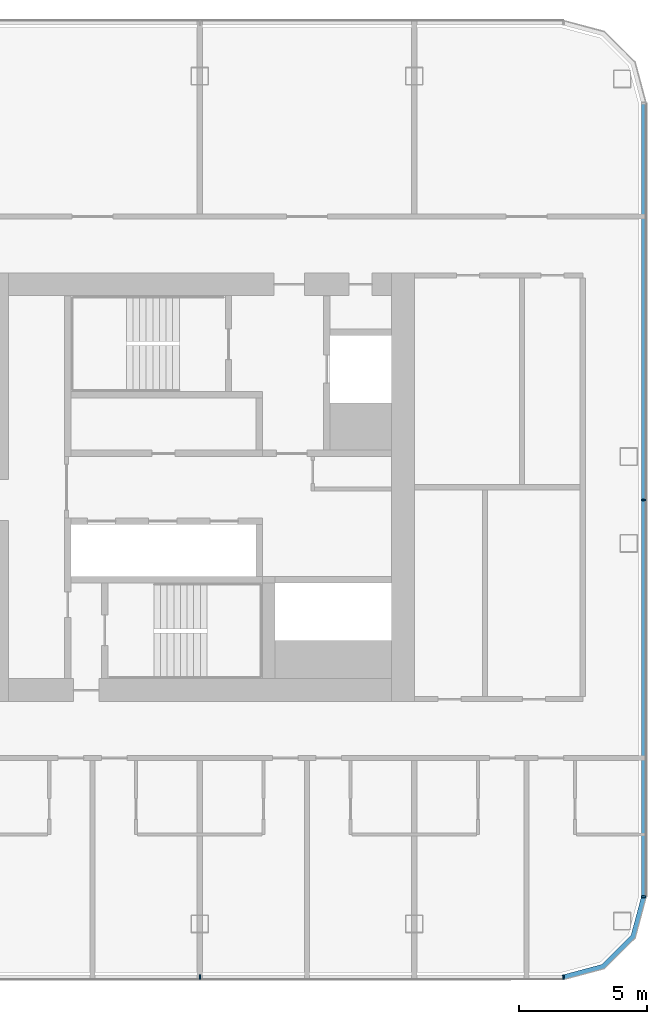
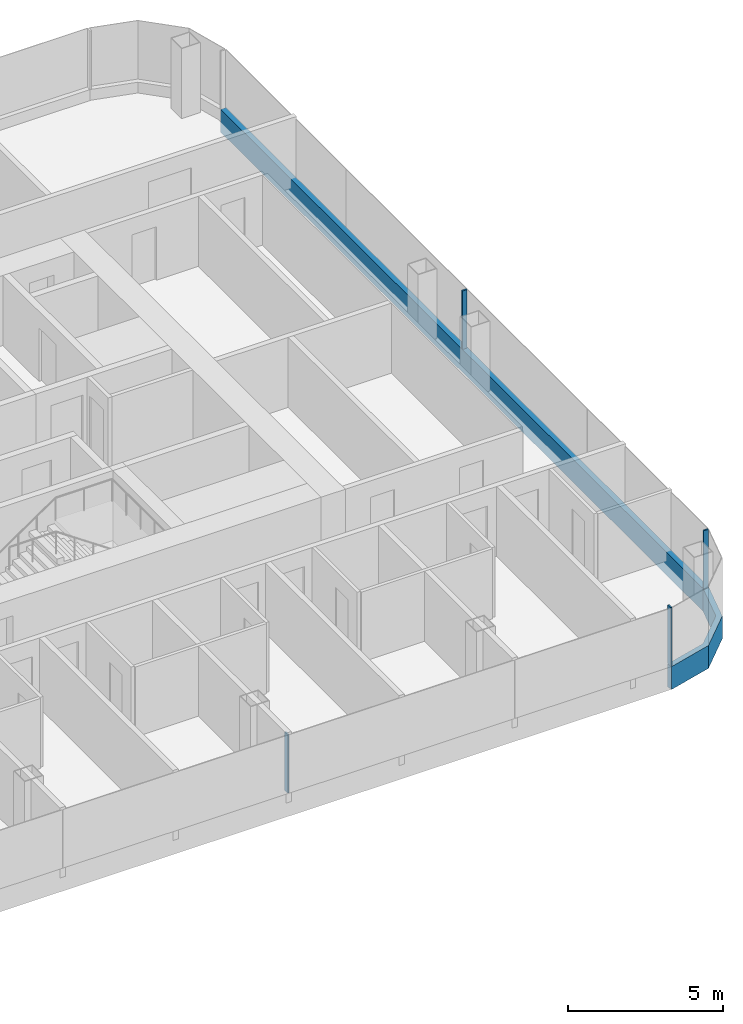
# One storey, part 9 of 27: 6 members, 3 elements without a shape of their own.
"""IFC4 building model written with IfcOpenShell, lengths in metres."""

from ifc_helpers import new_model, si_unit, direction, frame, origin, origin_2d, place, context, subcontext, project, spatial, polyline, rectangle, outline, extrude, material, layer, layer_set, material_profile, profile_set, type_object, element, aggregate, save


model = new_model("IFC4")

# Units and contexts
model_context = context("Model", 3, precision=1e-05, world=origin(), true_north=direction((0.0, 1.0)))
body_context = subcontext(model_context, "Body", "Model", "MODEL_VIEW")
ifc_project = project(units=[si_unit("LENGTHUNIT", "METRE"), si_unit("AREAUNIT", "SQUARE_METRE"), si_unit("VOLUMEUNIT", "CUBIC_METRE"), si_unit("PLANEANGLEUNIT", "RADIAN"), si_unit("MASSUNIT", "GRAM", prefix="KILO")], contexts=[model_context])

# Site, building, storey
site_placement = place(None, origin())
site = spatial("IfcSite", under=ifc_project, at=site_placement, CompositionType="ELEMENT")
building_placement = place(site_placement, origin())
building = spatial("IfcBuilding", under=site, at=building_placement, Name="Hakoniwa Tower and Hamabe Station Hall", CompositionType="ELEMENT")
storey_placement = place(building_placement, frame((0.0, 0.0, 166.199951171875)))
storey = spatial("IfcBuildingStorey", under=building, at=storey_placement, Name="L47", CompositionType="ELEMENT", Elevation=166.199951171875)

# Curtain wall, member
ifc_material_1 = material(Name="Dark low-e laminated glass", Category="glass")
ifc_layer = layer(ifc_material_1, 0.199951171875)
ifc_layer_set = layer_set([ifc_layer], Name="CW-1 UNITISED GUEST")
curtain_wall_type = type_object("IfcCurtainWallType", Name="CW-1 UNITISED GUEST", PredefinedType="NOTDEFINED", material=ifc_layer_set)
curtain_wall_1_placement = place(storey_placement, origin())
curtain_wall_1 = element("IfcCurtainWall", 1, at=curtain_wall_1_placement, inside=storey, type_object=curtain_wall_type, Name="CW-1 curtain wall", PredefinedType="NOTDEFINED")
ifc_material_2 = material(Name="Aluminium 6063-T5 black anodised", Category="aluminium")
ifc_material_profile_1 = material_profile(ifc_material_2, rectangle(XDim=0.199951171875, YDim=0.89990234375, at=origin_2d()), Name="CW SLAB-EDGE BAND 900X200")
ifc_profile_set_1 = profile_set([ifc_material_profile_1], Name="Aluminium 6063-T5 black anodised")
member_type_1 = type_object("IfcMemberType", Name="CW SLAB-EDGE BAND 900X200", PredefinedType="USERDEFINED", material=ifc_profile_set_1)
member_1_placement = place(storey_placement, frame((42.60009765625, -16.03955078125, -0.099853515625), z_axis=(0.0, 1.0, 0.0), x_axis=(-1.0, 0.0, 0.0)))
member_1 = element("IfcMember", 2, at=member_1_placement, type_object=member_type_1, Name="CW-1 transom", ObjectType="TRANSOM", PredefinedType="USERDEFINED", context=body_context, shape_type="SweptSolid", body=[
    extrude(rectangle(XDim=0.199951171875, YDim=0.89990234375, at=origin_2d()), origin(), (0.0, 0.0, 1.0), 31.0791015625),
])

curtain_wall_2_placement = place(storey_placement, origin())
curtain_wall_2 = element("IfcCurtainWall", 3, at=curtain_wall_2_placement, inside=storey, type_object=curtain_wall_type, Name="CW-1 curtain wall", PredefinedType="NOTDEFINED")
member_2_placement = place(storey_placement, frame((0.0, 0.0, -0.550048828125)))
member_2 = element("IfcMember", 4, at=member_2_placement, type_object=member_type_1, Name="CW-1 transom", ObjectType="TRANSOM", PredefinedType="USERDEFINED", context=body_context, shape_type="SweptSolid", body=[
    extrude(outline(polyline([(39.439453125, -19.300048828125), (41.05517578125, -18.866943359375), (42.26708984375, -17.6552734375), (42.699951171875, -16.03955078125), (42.5068359375, -15.98779296875), (42.087646484375, -17.5517578125), (40.95166015625, -18.687744140625), (39.3876953125, -19.10693359375), (39.439453125, -19.300048828125)])), origin(), (0.0, 0.0, 1.0), 0.900146484375),
])
aggregate(curtain_wall_2, [member_2])

# Member
ifc_material_3 = material(Name="Aluminium 6063-T5 black anodised", Category="aluminium")
ifc_material_profile_2 = material_profile(ifc_material_3, rectangle(XDim=0.06005859375, YDim=0.179931640625, at=origin_2d()), Name="CW-1 MULLION 60X180")
ifc_profile_set_2 = profile_set([ifc_material_profile_2], Name="Aluminium 6063-T5 black anodised")
member_type_2 = type_object("IfcMemberType", Name="CW-1 MULLION 60X180", PredefinedType="MULLION", material=ifc_profile_set_2)
member_3_placement = place(storey_placement, frame((42.58203125, -16.03955078125, 0.35009765625), z_axis=(0.0, 0.0, 1.0), x_axis=(0.0, 1.0, 0.0)))
member_3 = element("IfcMember", 5, at=member_3_placement, type_object=member_type_2, Name="CW-1 mullion", PredefinedType="MULLION", context=body_context, shape_type="SweptSolid", body=[
    extrude(rectangle(XDim=0.06005859375, YDim=0.179931640625, at=origin_2d()), origin(), (0.0, 0.0, 1.0), 2.300048828125),
])

member_4_placement = place(storey_placement, frame((42.58203125, -0.5, 0.35009765625), z_axis=(0.0, 0.0, 1.0), x_axis=(0.0, 1.0, 0.0)))
member_4 = element("IfcMember", 6, at=member_4_placement, type_object=member_type_2, Name="CW-1 mullion", PredefinedType="MULLION", context=body_context, shape_type="SweptSolid", body=[
    extrude(rectangle(XDim=0.06005859375, YDim=0.179931640625, at=origin_2d()), origin(), (0.0, 0.0, 1.0), 2.300048828125),
])

aggregate(curtain_wall_1, [member_3, member_4, member_1])

# Curtain wall, members
curtain_wall_3_placement = place(storey_placement, origin())
curtain_wall_3 = element("IfcCurtainWall", 7, at=curtain_wall_3_placement, inside=storey, type_object=curtain_wall_type, Name="CW-1 curtain wall", PredefinedType="NOTDEFINED")
member_5_placement = place(storey_placement, frame((25.199951171875, -19.181884765625, 0.35009765625), z_axis=(0.0, 0.0, 1.0), x_axis=(1.0, 0.0, 0.0)))
member_5 = element("IfcMember", 8, at=member_5_placement, type_object=member_type_2, Name="CW-1 mullion", PredefinedType="MULLION", context=body_context, shape_type="SweptSolid", body=[
    extrude(rectangle(XDim=0.06005859375, YDim=0.179931640625, at=origin_2d()), origin(), (0.0, 0.0, 1.0), 2.300048828125),
])
member_6_placement = place(storey_placement, frame((39.439453125, -19.181884765625, 0.35009765625), z_axis=(0.0, 0.0, 1.0), x_axis=(1.0, 0.0, 0.0)))
member_6 = element("IfcMember", 9, at=member_6_placement, type_object=member_type_2, Name="CW-1 mullion", PredefinedType="MULLION", context=body_context, shape_type="SweptSolid", body=[
    extrude(rectangle(XDim=0.06005859375, YDim=0.179931640625, at=origin_2d()), origin(), (0.0, 0.0, 1.0), 2.300048828125),
])
aggregate(curtain_wall_3, [member_5, member_6])

save(model, "model.ifc")
